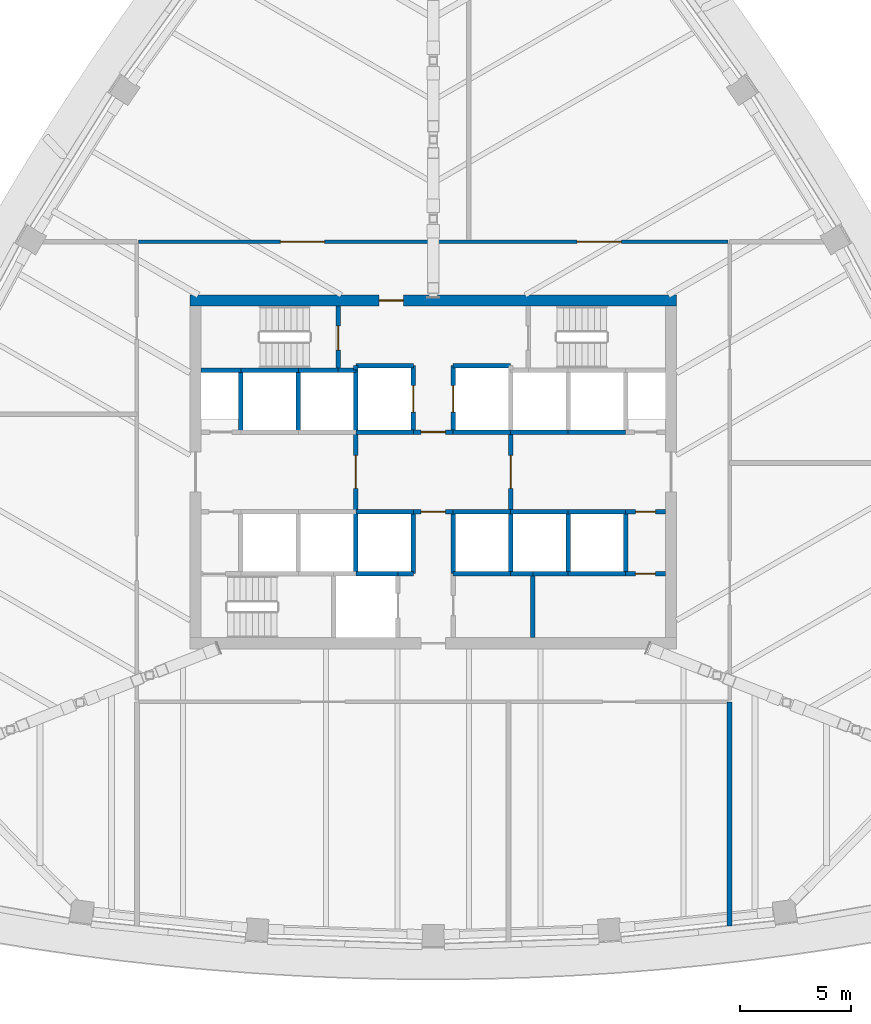
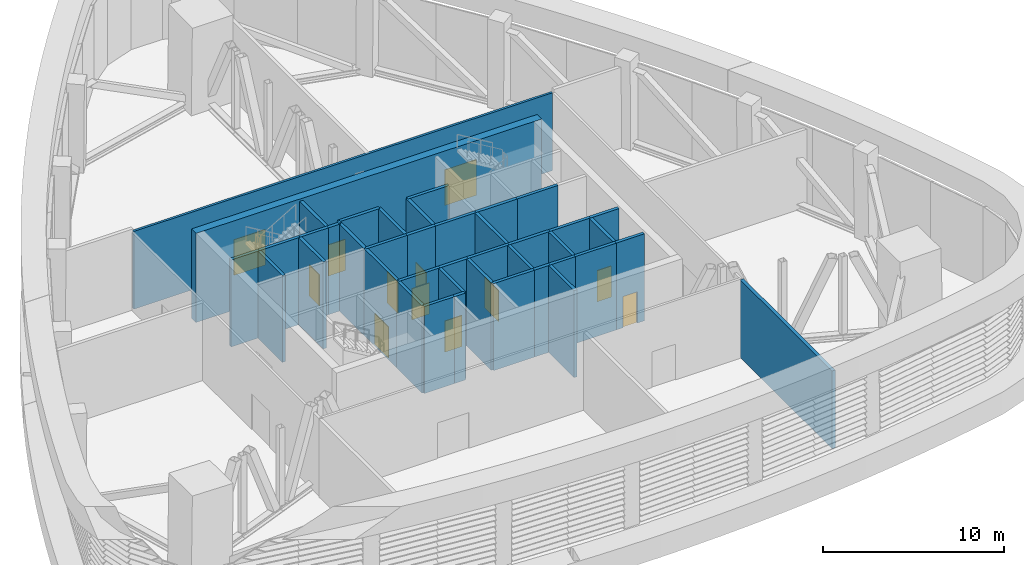
# One storey, part 6 of 18: 43 walls, 12 doors, 12 openings.
"""IFC4 building model written with IfcOpenShell, lengths in metres."""

import ifcopenshell
import ifcopenshell.guid

model = None  # the IFC model being written
_history = None  # IfcOwnerHistory: only IFC2X3 demands one
_inside = {}  # id of a spatial element -> (the spatial element, [elements in it])
_under = {}  # id of a project, library or spatial element -> (it, [spatial elements below it])
_declared = {}  # id of a project -> (the project, [libraries it declares])
_typed = {}  # id of a type object -> (the type object, [elements of that type])
_made_of = {}  # id of a material, layer set ... -> (it, [elements and type objects made of it])


def new_model(schema):
    """Start an empty IFC model of exactly this schema.

    Asked for "IFC4X3", IfcOpenShell would pick the latest addendum, in which some entities
    have other attributes; the version numbers below select the first issue.
    IFC2X3 requires an IfcOwnerHistory on every rooted entity: one is made here for all.
    """
    global model, _history
    if schema == "IFC4X3":
        model = ifcopenshell.file(schema_version=(4, 3, 0, 0))
    else:
        model = ifcopenshell.file(schema=schema)
    _inside.clear()
    _under.clear()
    _declared.clear()
    _typed.clear()
    _made_of.clear()
    _history = None
    if model.schema == "IFC2X3":
        org = make("IfcOrganization", Name="unknown")
        user = make(
            "IfcPersonAndOrganization",
            ThePerson=make("IfcPerson", FamilyName="unknown"),
            TheOrganization=org,
        )
        app = make(
            "IfcApplication",
            ApplicationDeveloper=org,
            Version="unknown",
            ApplicationFullName="unknown",
            ApplicationIdentifier="unknown",
        )
        _history = make(
            "IfcOwnerHistory",
            OwningUser=user,
            OwningApplication=app,
            ChangeAction="ADDED",
            CreationDate=0,
        )
    return model


def make(cls, **values):
    """One entity of the class cls with the attributes given. An attribute that is None is left unset."""
    return model.create_entity(
        cls, **{name: value for name, value in values.items() if value is not None}
    )


def rooted(cls, **values):
    """An entity with a GlobalId (a new one), such as an element, a storey or a relation."""
    return make(cls, GlobalId=ifcopenshell.guid.new(), OwnerHistory=_history, **values)


def si_unit(unit_type, name, prefix=None):
    """IfcSIUnit, for example si_unit("LENGTHUNIT", "METRE", prefix="MILLI")."""
    return make("IfcSIUnit", UnitType=unit_type, Prefix=prefix, Name=name)


def assignment(units):
    """IfcUnitAssignment: the units of a project."""
    return None if units is None else make("IfcUnitAssignment", Units=units)


def point(xyz):
    """IfcCartesianPoint."""
    return None if xyz is None else make("IfcCartesianPoint", Coordinates=xyz)


def direction(xyz):
    """IfcDirection."""
    return None if xyz is None else make("IfcDirection", DirectionRatios=xyz)


def frame(location, z_axis=None, x_axis=None):
    """IfcAxis2Placement3D, a coordinate frame: its origin and axes. An axis left out is left unset."""
    return make(
        "IfcAxis2Placement3D",
        Location=point(location),
        Axis=direction(z_axis),
        RefDirection=direction(x_axis),
    )


def frame_2d(location, x_axis=None):
    """IfcAxis2Placement2D, a coordinate frame in the plane: its origin and x axis."""
    return make(
        "IfcAxis2Placement2D", Location=point(location), RefDirection=direction(x_axis)
    )


def origin():
    """The frame at (0, 0, 0) with its axes left unset."""
    return frame((0.0, 0.0, 0.0))


def place(relative_to, where):
    """IfcLocalPlacement: puts the frame where relative to a parent placement (None: the world)."""
    return make(
        "IfcLocalPlacement", PlacementRelTo=relative_to, RelativePlacement=where
    )


def context(
    kind, dimensions, precision=None, world=None, true_north=None, identifier=None
):
    """IfcGeometricRepresentationContext, for example the 3D "Model" context."""
    return make(
        "IfcGeometricRepresentationContext",
        ContextIdentifier=identifier,
        ContextType=kind,
        CoordinateSpaceDimension=dimensions,
        Precision=precision,
        WorldCoordinateSystem=world,
        TrueNorth=true_north,
    )


def subcontext(parent, identifier, kind, view, scale=None):
    """IfcGeometricRepresentationSubContext, for example "Body" below "Model"."""
    return make(
        "IfcGeometricRepresentationSubContext",
        ContextIdentifier=identifier,
        ContextType=kind,
        ParentContext=parent,
        TargetScale=scale,
        TargetView=view,
    )


def project(units=None, contexts=None):
    """IfcProject with its units and contexts."""
    return rooted(
        "IfcProject",
        Name="project",
        RepresentationContexts=contexts,
        UnitsInContext=assignment(units),
    )


def spatial(cls, under=None, at=None, **own):
    """A site, building, storey or space (cls), placed at a placement, below another one or the project."""
    s = rooted(cls, ObjectPlacement=at, **own)
    if under is not None:
        _under.setdefault(under.id(), (under, []))[1].append(s)
    return s


def profile(cls, at=None, kind="AREA", **sizes):
    """A parametric profile (cls). Its sizes go by their IFC names, for example OverallWidth=200.0."""
    return make(cls, ProfileType=kind, Position=at, **sizes)


def rectangle(**sizes):
    """IfcRectangleProfileDef."""
    return profile("IfcRectangleProfileDef", **sizes)


def extrude(swept, where, along, depth):
    """IfcExtrudedAreaSolid: the profile swept, set in the frame where, extruded along a direction by depth."""
    return make(
        "IfcExtrudedAreaSolid",
        SweptArea=swept,
        Position=where,
        ExtrudedDirection=direction(along),
        Depth=depth,
    )


def shape(context_of_items, identifier, shape_type, items):
    """IfcShapeRepresentation: the items that make up one representation, for example the "Body"."""
    return make(
        "IfcShapeRepresentation",
        ContextOfItems=context_of_items,
        RepresentationIdentifier=identifier,
        RepresentationType=shape_type,
        Items=items,
    )


def material(Name=None, Category=None):
    """IfcMaterial."""
    return make("IfcMaterial", Name=Name, Category=Category)


def layer(
    of_material, thickness, ventilated=None, Name=None, Category=None, Priority=None
):
    """IfcMaterialLayer: one layer of a wall or slab, of a material (None: an air gap)."""
    return make(
        "IfcMaterialLayer",
        Material=of_material,
        LayerThickness=thickness,
        IsVentilated=ventilated,
        Name=Name,
        Category=Category,
        Priority=Priority,
    )


def layer_set(layers, Name=None):
    """IfcMaterialLayerSet."""
    return make("IfcMaterialLayerSet", MaterialLayers=layers, LayerSetName=Name)


def made_of(thing, what):
    """Note that an element or type object is made of a material, layer set ...; save() writes the relation."""
    if what is not None:
        _made_of.setdefault(what.id(), (what, []))[1].append(thing)
    return thing


def type_object(cls, material=None, **own):
    """A type object (cls), such as IfcWallType, which elements share."""
    return made_of(rooted(cls, **own), material)


def element(
    cls,
    number,
    at=None,
    inside=None,
    cuts=None,
    type_object=None,
    material=None,
    context=None,
    identifier="Body",
    shape_type=None,
    held_by="IfcProductDefinitionShape",
    body=None,
    shapes=None,
    **own,
):
    """One element of the class cls, such as IfcWall. Its Tag is "e" and its number.

    at: its placement. inside: the storey or other place that contains it. cuts: it is an
    opening in that element (IfcRelVoidsElement). A single representation is given by context,
    identifier, shape_type and body (its items); several are given by shapes. held_by: the class
    of the entity that holds the representations. save() writes the other relations.
    """
    e = rooted(cls, Tag="e%d" % number, ObjectPlacement=at, **own)
    if body is not None:
        shapes = [shape(context, identifier, shape_type, body)]
    if shapes is not None:
        e.Representation = make(held_by, Representations=shapes)
    if inside is not None:
        _inside.setdefault(inside.id(), (inside, []))[1].append(e)
    if cuts is not None:
        rooted(
            "IfcRelVoidsElement", RelatingBuildingElement=cuts, RelatedOpeningElement=e
        )
    if type_object is not None:
        _typed.setdefault(type_object.id(), (type_object, []))[1].append(e)
    return made_of(e, material)


def fill(opening, filler):
    """IfcRelFillsElement: the door or window that sits in an opening."""
    return rooted(
        "IfcRelFillsElement",
        RelatingOpeningElement=opening,
        RelatedBuildingElement=filler,
    )


def aggregate(whole, parts):
    """IfcRelAggregates: a whole, such as a stair, and the parts it consists of."""
    return rooted("IfcRelAggregates", RelatingObject=whole, RelatedObjects=parts)


def save(model, path):
    """Write the relations noted so far, then the file.

    IfcRelAggregates (storeys below a building ...), IfcRelContainedInSpatialStructure (elements
    in a storey), IfcRelDefinesByType, IfcRelAssociatesMaterial and IfcRelDeclares: one each for
    every whole, place, type object, material and project.
    """
    for whole, parts in _under.values():
        aggregate(whole, parts)
    for where, things in _inside.values():
        rooted(
            "IfcRelContainedInSpatialStructure",
            RelatedElements=things,
            RelatingStructure=where,
        )
    for kind, things in _typed.values():
        rooted("IfcRelDefinesByType", RelatedObjects=things, RelatingType=kind)
    for what, things in _made_of.values():
        rooted("IfcRelAssociatesMaterial", RelatedObjects=things, RelatingMaterial=what)
    for by, libraries in _declared.values():
        rooted("IfcRelDeclares", RelatingContext=by, RelatedDefinitions=libraries)
    model.write(path)


model = new_model("IFC4")

# Units and contexts
model_context = context("Model", 3, precision=1e-05, world=origin(), true_north=direction((0.0, 1.0)))
body_context = subcontext(model_context, "Body", "Model", "MODEL_VIEW")
ifc_project = project(units=[si_unit("LENGTHUNIT", "METRE"), si_unit("AREAUNIT", "SQUARE_METRE"), si_unit("VOLUMEUNIT", "CUBIC_METRE"), si_unit("PLANEANGLEUNIT", "RADIAN"), si_unit("MASSUNIT", "GRAM", prefix="KILO")], contexts=[model_context])

# Site, building, storey
site_placement = place(None, origin())
site = spatial("IfcSite", under=ifc_project, at=site_placement, CompositionType="ELEMENT")
building_placement = place(site_placement, origin())
building = spatial("IfcBuilding", under=site, at=building_placement, Name="Sierra Prisma Convention Tower", CompositionType="ELEMENT")
storey_placement = place(building_placement, frame((0.0, 0.0, 213.800048828125)))
storey = spatial("IfcBuildingStorey", under=building, at=storey_placement, Name="L48", CompositionType="ELEMENT", Elevation=213.800048828125)

# Walls
ifc_material_1 = material(Name="Concrete C30/37", Category="concrete")
ifc_layer_1 = layer(ifc_material_1, 0.199951171875)
ifc_layer_set_1 = layer_set([ifc_layer_1], Name="Core wall RC 200 C30/37")
wall_type_1 = type_object("IfcWallType", Name="Core wall RC 200 C30/37", PredefinedType="SOLIDWALL", material=ifc_layer_set_1)
wall_1_placement = place(storey_placement, frame((-8.699951171875, 4.60009765625, 0.0), z_axis=(0.0, 0.0, 1.0), x_axis=(-1.0, 0.0, 0.0)))
element("IfcWall", 1, at=wall_1_placement, inside=storey, type_object=wall_type_1, Name="Core wall L48 4", PredefinedType="SOLIDWALL", context=body_context, shape_type="SweptSolid", body=[
    extrude(rectangle(XDim=1.800048828125, YDim=0.199951171875, at=frame_2d((0.89990234375, 0.0))), origin(), (0.0, 0.0, 1.0), 5.849853515625),
])
wall_2_placement = place(storey_placement, frame((-8.699951171875, 1.800048828125, 0.0), z_axis=(0.0, 0.0, 1.0), x_axis=(0.0, 1.0, 0.0)))
element("IfcWall", 2, at=wall_2_placement, inside=storey, type_object=wall_type_1, Name="Core wall L48 9", PredefinedType="SOLIDWALL", context=body_context, shape_type="SweptSolid", body=[
    extrude(rectangle(XDim=2.800048828125, YDim=0.199951171875, at=frame_2d((1.39990234375, 0.0))), origin(), (0.0, 0.0, 1.0), 5.849853515625),
])
wall_3_placement = place(storey_placement, frame((-6.10009765625, 4.60009765625, 0.0), z_axis=(0.0, 0.0, 1.0), x_axis=(-1.0, 0.0, 0.0)))
element("IfcWall", 3, at=wall_3_placement, inside=storey, type_object=wall_type_1, Name="Core wall L48 10", PredefinedType="SOLIDWALL", context=body_context, shape_type="SweptSolid", body=[
    extrude(rectangle(XDim=2.599853515625, YDim=0.199951171875, at=frame_2d((1.2998046875, 0.0))), origin(), (0.0, 0.0, 1.0), 5.849853515625),
])
wall_4_placement = place(storey_placement, frame((-6.10009765625, 1.800048828125, 0.0), z_axis=(0.0, 0.0, 1.0), x_axis=(0.0, 1.0, 0.0)))
element("IfcWall", 4, at=wall_4_placement, inside=storey, type_object=wall_type_1, Name="Core wall L48 15", PredefinedType="SOLIDWALL", context=body_context, shape_type="SweptSolid", body=[
    extrude(rectangle(XDim=2.800048828125, YDim=0.199951171875, at=frame_2d((1.39990234375, 0.0))), origin(), (0.0, 0.0, 1.0), 5.849853515625),
])
wall_5_placement = place(storey_placement, frame((-4.300048828125, 4.60009765625, 0.0), z_axis=(0.0, 0.0, 1.0), x_axis=(-1.0, 0.0, 0.0)))
element("IfcWall", 5, at=wall_5_placement, inside=storey, type_object=wall_type_1, Name="Core wall L48 16", PredefinedType="SOLIDWALL", context=body_context, shape_type="SweptSolid", body=[
    extrude(rectangle(XDim=1.800048828125, YDim=0.199951171875, at=frame_2d((0.89990234375, 0.0))), origin(), (0.0, 0.0, 1.0), 5.849853515625),
])
wall_6_placement = place(storey_placement, frame((-3.5, 4.60009765625, 0.0), z_axis=(0.0, 0.0, 1.0), x_axis=(-1.0, 0.0, 0.0)))
element("IfcWall", 6, at=wall_6_placement, inside=storey, type_object=wall_type_1, Name="Core wall L48 19", PredefinedType="SOLIDWALL", context=body_context, shape_type="SweptSolid", body=[
    extrude(rectangle(XDim=0.800048828125, YDim=0.199951171875, at=frame_2d((0.39990234375, 0.0))), origin(), (0.0, 0.0, 1.0), 5.849853515625),
])

# Wall, opening, door
wall_7_placement = place(storey_placement, frame((-4.300048828125, 4.60009765625, 0.0), z_axis=(0.0, 0.0, 1.0), x_axis=(0.0, 1.0, 0.0)))
wall_7 = element("IfcWall", 7, at=wall_7_placement, inside=storey, type_object=wall_type_1, Name="Core wall L48 20", PredefinedType="SOLIDWALL", context=body_context, shape_type="SweptSolid", body=[
    extrude(rectangle(XDim=2.89990234375, YDim=0.199951171875, at=frame_2d((1.449951171875, 0.0))), origin(), (0.0, 0.0, 1.0), 5.849853515625),
])
opening_1_placement = place(wall_7_placement, frame((0.89990234375, 0.0, 0.0)))
opening_1 = element("IfcOpeningElement", 8, at=opening_1_placement, cuts=wall_7, Name="Opening L48-D012", PredefinedType="OPENING", context=body_context, shape_type="SweptSolid", body=[
    extrude(rectangle(XDim=1.10009765625, YDim=2.10009765625, at=frame_2d((0.550048828125, 1.050048828125))), frame((0.0, 0.10009765625, 0.0), z_axis=(0.0, -1.0, 0.0), x_axis=(1.0, 0.0, 0.0)), (0.0, 0.0, 1.0), 0.199951171875),
])
ifc_material_2 = material(Name="Steel fire door leaf", Category="steel")
door_type_1 = type_object("IfcDoorType", Name="Door 1100x2100 FD90S", OperationType="SINGLE_SWING_LEFT", PredefinedType="DOOR", material=ifc_material_2)
door_1_placement = place(opening_1_placement, origin())
door_1 = element("IfcDoor", 9, at=door_1_placement, inside=storey, type_object=door_type_1, Name="Door L48 20", OperationType="SINGLE_SWING_LEFT", OverallHeight=2.10009765625, OverallWidth=1.10009765625, PredefinedType="DOOR", context=body_context, shape_type="SweptSolid", body=[
    extrude(rectangle(XDim=1.10009765625, YDim=2.10009765625, at=frame_2d((0.550048828125, 1.050048828125))), frame((0.0, 0.02490234375, 0.0), z_axis=(0.0, -1.0, 0.0), x_axis=(1.0, 0.0, 0.0)), (0.0, 0.0, 1.0), 0.050048828125),
])
fill(opening_1, door_1)

# Walls
wall_8_placement = place(storey_placement, frame((-3.5, -4.60009765625, 0.0), z_axis=(0.0, 0.0, 1.0), x_axis=(1.0, 0.0, 0.0)))
element("IfcWall", 10, at=wall_8_placement, inside=storey, type_object=wall_type_1, Name="Core wall L48 21", PredefinedType="SOLIDWALL", context=body_context, shape_type="SweptSolid", body=[
    extrude(rectangle(XDim=1.89990234375, YDim=0.199951171875, at=frame_2d((0.949951171875, 0.0))), origin(), (0.0, 0.0, 1.0), 5.849853515625),
])
wall_9_placement = place(storey_placement, frame((-3.5, -4.60009765625, 0.0), z_axis=(0.0, 0.0, 1.0), x_axis=(0.0, 1.0, 0.0)))
element("IfcWall", 11, at=wall_9_placement, inside=storey, type_object=wall_type_1, Name="Core wall L48 22", PredefinedType="SOLIDWALL", context=body_context, shape_type="SweptSolid", body=[
    extrude(rectangle(XDim=2.800048828125, YDim=0.199951171875, at=frame_2d((1.39990234375, 0.0))), origin(), (0.0, 0.0, 1.0), 5.849853515625),
])
wall_10_placement = place(storey_placement, frame((-3.5, -1.800048828125, 0.0), z_axis=(0.0, 0.0, 1.0), x_axis=(1.0, 0.0, 0.0)))
element("IfcWall", 12, at=wall_10_placement, inside=storey, type_object=wall_type_1, Name="Core wall L48 23", PredefinedType="SOLIDWALL", context=body_context, shape_type="SweptSolid", body=[
    extrude(rectangle(XDim=2.60009765625, YDim=0.199951171875, at=frame_2d((1.300048828125, 0.0))), origin(), (0.0, 0.0, 1.0), 5.849853515625),
])

# Wall, opening, door
wall_11_placement = place(storey_placement, frame((-3.5, 1.800048828125, 0.0), z_axis=(0.0, 0.0, 1.0), x_axis=(0.0, -1.0, 0.0)))
wall_11 = element("IfcWall", 13, at=wall_11_placement, inside=storey, type_object=wall_type_1, Name="Core wall L48 24", PredefinedType="SOLIDWALL", context=body_context, shape_type="SweptSolid", body=[
    extrude(rectangle(XDim=3.60009765625, YDim=0.199951171875, at=frame_2d((1.800048828125, 0.0))), origin(), (0.0, 0.0, 1.0), 5.849853515625),
])
opening_2_placement = place(wall_11_placement, frame((1.050048828125, 0.0, 0.0)))
opening_2 = element("IfcOpeningElement", 14, at=opening_2_placement, cuts=wall_11, Name="Opening L48-D004", PredefinedType="OPENING", context=body_context, shape_type="SweptSolid", body=[
    extrude(rectangle(XDim=1.5, YDim=2.10009765625, at=frame_2d((0.75, 1.050048828125))), frame((0.0, 0.10009765625, 0.0), z_axis=(0.0, -1.0, 0.0), x_axis=(1.0, 0.0, 0.0)), (0.0, 0.0, 1.0), 0.199951171875),
])
ifc_material_3 = material(Name="Steel fire door leaf", Category="steel")
door_type_2 = type_object("IfcDoorType", Name="Door 1500x2100 FD30S", OperationType="DOUBLE_DOOR_SINGLE_SWING", PredefinedType="DOOR", material=ifc_material_3)
door_2_placement = place(opening_2_placement, origin())
door_2 = element("IfcDoor", 15, at=door_2_placement, inside=storey, type_object=door_type_2, Name="Door L48 12", OperationType="DOUBLE_DOOR_SINGLE_SWING", OverallHeight=2.10009765625, OverallWidth=1.5, PredefinedType="DOOR", context=body_context, shape_type="SweptSolid", body=[
    extrude(rectangle(XDim=1.5, YDim=2.10009765625, at=frame_2d((0.75, 1.050048828125))), frame((0.0, 0.02490234375, 0.0), z_axis=(0.0, -1.0, 0.0), x_axis=(1.0, 0.0, 0.0)), (0.0, 0.0, 1.0), 0.050048828125),
])
fill(opening_2, door_2)

# Walls
wall_12_placement = place(storey_placement, frame((-0.89990234375, 1.800048828125, 0.0), z_axis=(0.0, 0.0, 1.0), x_axis=(-1.0, 0.0, 0.0)))
element("IfcWall", 16, at=wall_12_placement, inside=storey, type_object=wall_type_1, Name="Core wall L48 25", PredefinedType="SOLIDWALL", context=body_context, shape_type="SweptSolid", body=[
    extrude(rectangle(XDim=2.60009765625, YDim=0.199951171875, at=frame_2d((1.300048828125, 0.0))), origin(), (0.0, 0.0, 1.0), 5.849853515625),
])
wall_13_placement = place(storey_placement, frame((-3.5, 4.60009765625, 0.0), z_axis=(0.0, 0.0, 1.0), x_axis=(0.0, -1.0, 0.0)))
element("IfcWall", 17, at=wall_13_placement, inside=storey, type_object=wall_type_1, Name="Core wall L48 26", PredefinedType="SOLIDWALL", context=body_context, shape_type="SweptSolid", body=[
    extrude(rectangle(XDim=2.800048828125, YDim=0.199951171875, at=frame_2d((1.39990234375, 0.0))), origin(), (0.0, 0.0, 1.0), 5.849853515625),
])

# Wall, opening, door
wall_14_placement = place(storey_placement, frame((-0.89990234375, 1.800048828125, 0.0), z_axis=(0.0, 0.0, 1.0), x_axis=(0.0, 1.0, 0.0)))
wall_14 = element("IfcWall", 18, at=wall_14_placement, inside=storey, type_object=wall_type_1, Name="Core wall L48 27", PredefinedType="SOLIDWALL", context=body_context, shape_type="SweptSolid", body=[
    extrude(rectangle(XDim=3.0, YDim=0.199951171875, at=frame_2d((1.5, 0.0))), origin(), (0.0, 0.0, 1.0), 5.849853515625),
])
opening_3_placement = place(wall_14_placement, frame((0.89990234375, 0.0, 0.0)))
opening_3 = element("IfcOpeningElement", 19, at=opening_3_placement, cuts=wall_14, Name="Opening L48-D001", PredefinedType="OPENING", context=body_context, shape_type="SweptSolid", body=[
    extrude(rectangle(XDim=1.199951171875, YDim=2.10009765625, at=frame_2d((0.60009765625, 1.050048828125))), frame((0.0, 0.10009765625, 0.0), z_axis=(0.0, -1.0, 0.0), x_axis=(1.0, 0.0, 0.0)), (0.0, 0.0, 1.0), 0.199951171875),
])
ifc_material_4 = material(Name="Steel fire door leaf", Category="steel")
door_type_3 = type_object("IfcDoorType", Name="Door 1200x2100 EI 90 sliding lift landing", OperationType="SLIDING_TO_LEFT", PredefinedType="DOOR", material=ifc_material_4)
door_3_placement = place(opening_3_placement, origin())
door_3 = element("IfcDoor", 20, at=door_3_placement, inside=storey, type_object=door_type_3, Name="Door L48 9", OperationType="SLIDING_TO_RIGHT", OverallHeight=2.10009765625, OverallWidth=1.199951171875, PredefinedType="DOOR", context=body_context, shape_type="SweptSolid", body=[
    extrude(rectangle(XDim=1.199951171875, YDim=2.10009765625, at=frame_2d((0.60009765625, 1.050048828125))), frame((0.0, 0.02490234375, 0.0), z_axis=(0.0, -1.0, 0.0), x_axis=(1.0, 0.0, 0.0)), (0.0, 0.0, 1.0), 0.050048828125),
])
fill(opening_3, door_3)

# Walls
wall_15_placement = place(storey_placement, frame((-0.89990234375, 4.800048828125, 0.0), z_axis=(0.0, 0.0, 1.0), x_axis=(-1.0, 0.0, 0.0)))
element("IfcWall", 21, at=wall_15_placement, inside=storey, type_object=wall_type_1, Name="Core wall L48 28", PredefinedType="SOLIDWALL", context=body_context, shape_type="SweptSolid", body=[
    extrude(rectangle(XDim=2.60009765625, YDim=0.199951171875, at=frame_2d((1.300048828125, 0.0))), origin(), (0.0, 0.0, 1.0), 5.849853515625),
])
wall_16_placement = place(storey_placement, frame((-3.5, 4.800048828125, 0.0), z_axis=(0.0, 0.0, 1.0), x_axis=(0.0, -1.0, 0.0)))
element("IfcWall", 22, at=wall_16_placement, inside=storey, type_object=wall_type_1, Name="Core wall L48 29", PredefinedType="SOLIDWALL", context=body_context, shape_type="SweptSolid", body=[
    extrude(rectangle(XDim=0.199951171875, YDim=0.199951171875, at=frame_2d((0.10009765625, 0.0))), origin(), (0.0, 0.0, 1.0), 5.849853515625),
])
wall_17_placement = place(storey_placement, frame((-1.60009765625, -4.60009765625, 0.0), z_axis=(0.0, 0.0, 1.0), x_axis=(1.0, 0.0, 0.0)))
element("IfcWall", 23, at=wall_17_placement, inside=storey, type_object=wall_type_1, Name="Core wall L48 31", PredefinedType="SOLIDWALL", context=body_context, shape_type="SweptSolid", body=[
    extrude(rectangle(XDim=0.7001953125, YDim=0.199951171875, at=frame_2d((0.35009765625, 0.0))), origin(), (0.0, 0.0, 1.0), 5.849853515625),
])
wall_18_placement = place(storey_placement, frame((-0.89990234375, -4.60009765625, 0.0), z_axis=(0.0, 0.0, 1.0), x_axis=(0.0, 1.0, 0.0)))
element("IfcWall", 24, at=wall_18_placement, inside=storey, type_object=wall_type_1, Name="Core wall L48 32", PredefinedType="SOLIDWALL", context=body_context, shape_type="SweptSolid", body=[
    extrude(rectangle(XDim=2.800048828125, YDim=0.199951171875, at=frame_2d((1.39990234375, 0.0))), origin(), (0.0, 0.0, 1.0), 5.849853515625),
])

# Wall, opening, door
wall_19_placement = place(storey_placement, frame((-0.89990234375, -1.800048828125, 0.0), z_axis=(0.0, 0.0, 1.0), x_axis=(1.0, 0.0, 0.0)))
wall_19 = element("IfcWall", 25, at=wall_19_placement, inside=storey, type_object=wall_type_1, Name="Core wall L48 33", PredefinedType="SOLIDWALL", context=body_context, shape_type="SweptSolid", body=[
    extrude(rectangle(XDim=1.7998046875, YDim=0.199951171875, at=frame_2d((0.89990234375, 0.0))), origin(), (0.0, 0.0, 1.0), 5.849853515625),
])
opening_4_placement = place(wall_19_placement, frame((0.35009765625, 0.0, 0.0)))
opening_4 = element("IfcOpeningElement", 26, at=opening_4_placement, cuts=wall_19, Name="Opening L48-D008", PredefinedType="OPENING", context=body_context, shape_type="SweptSolid", body=[
    extrude(rectangle(XDim=1.10009765625, YDim=2.10009765625, at=frame_2d((0.550048828125, 1.050048828125))), frame((0.0, 0.10009765625, 0.0), z_axis=(0.0, -1.0, 0.0), x_axis=(1.0, 0.0, 0.0)), (0.0, 0.0, 1.0), 0.199951171875),
])
ifc_material_5 = material(Name="Steel fire door leaf", Category="steel")
door_type_4 = type_object("IfcDoorType", Name="Door 1100x2100 FD30S", OperationType="SINGLE_SWING_LEFT", PredefinedType="DOOR", material=ifc_material_5)
door_4_placement = place(opening_4_placement, origin())
door_4 = element("IfcDoor", 27, at=door_4_placement, inside=storey, type_object=door_type_4, Name="Door L48 16", OperationType="SINGLE_SWING_RIGHT", OverallHeight=2.10009765625, OverallWidth=1.10009765625, PredefinedType="DOOR", context=body_context, shape_type="SweptSolid", body=[
    extrude(rectangle(XDim=1.10009765625, YDim=2.10009765625, at=frame_2d((0.550048828125, 1.050048828125))), frame((0.0, 0.02490234375, 0.0), z_axis=(0.0, -1.0, 0.0), x_axis=(1.0, 0.0, 0.0)), (0.0, 0.0, 1.0), 0.050048828125),
])
fill(opening_4, door_4)

wall_20_placement = place(storey_placement, frame((0.89990234375, 1.800048828125, 0.0), z_axis=(0.0, 0.0, 1.0), x_axis=(-1.0, 0.0, 0.0)))
wall_20 = element("IfcWall", 28, at=wall_20_placement, inside=storey, type_object=wall_type_1, Name="Core wall L48 34", PredefinedType="SOLIDWALL", context=body_context, shape_type="SweptSolid", body=[
    extrude(rectangle(XDim=1.7998046875, YDim=0.199951171875, at=frame_2d((0.89990234375, 0.0))), origin(), (0.0, 0.0, 1.0), 5.849853515625),
])
opening_5_placement = place(wall_20_placement, frame((0.35009765625, 0.0, 0.0)))
opening_5 = element("IfcOpeningElement", 29, at=opening_5_placement, cuts=wall_20, Name="Opening L48-D007", PredefinedType="OPENING", context=body_context, shape_type="SweptSolid", body=[
    extrude(rectangle(XDim=1.10009765625, YDim=2.10009765625, at=frame_2d((0.550048828125, 1.050048828125))), frame((0.0, 0.10009765625, 0.0), z_axis=(0.0, -1.0, 0.0), x_axis=(1.0, 0.0, 0.0)), (0.0, 0.0, 1.0), 0.199951171875),
])
ifc_material_6 = material(Name="Steel fire door leaf", Category="steel")
door_type_5 = type_object("IfcDoorType", Name="Door 1100x2100 FD60S", OperationType="SINGLE_SWING_LEFT", PredefinedType="DOOR", material=ifc_material_6)
door_5_placement = place(opening_5_placement, origin())
door_5 = element("IfcDoor", 30, at=door_5_placement, inside=storey, type_object=door_type_5, Name="Door L48 15", OperationType="SINGLE_SWING_LEFT", OverallHeight=2.10009765625, OverallWidth=1.10009765625, PredefinedType="DOOR", context=body_context, shape_type="SweptSolid", body=[
    extrude(rectangle(XDim=1.10009765625, YDim=2.10009765625, at=frame_2d((0.550048828125, 1.050048828125))), frame((0.0, 0.02490234375, 0.0), z_axis=(0.0, -1.0, 0.0), x_axis=(1.0, 0.0, 0.0)), (0.0, 0.0, 1.0), 0.050048828125),
])
fill(opening_5, door_5)

# Walls
wall_21_placement = place(storey_placement, frame((3.5, -4.60009765625, 0.0), z_axis=(0.0, 0.0, 1.0), x_axis=(-1.0, 0.0, 0.0)))
element("IfcWall", 31, at=wall_21_placement, inside=storey, type_object=wall_type_1, Name="Core wall L48 36", PredefinedType="SOLIDWALL", context=body_context, shape_type="SweptSolid", body=[
    extrude(rectangle(XDim=2.60009765625, YDim=0.199951171875, at=frame_2d((1.300048828125, 0.0))), origin(), (0.0, 0.0, 1.0), 5.849853515625),
])
wall_22_placement = place(storey_placement, frame((0.89990234375, -1.800048828125, 0.0), z_axis=(0.0, 0.0, 1.0), x_axis=(0.0, -1.0, 0.0)))
element("IfcWall", 32, at=wall_22_placement, inside=storey, type_object=wall_type_1, Name="Core wall L48 37", PredefinedType="SOLIDWALL", context=body_context, shape_type="SweptSolid", body=[
    extrude(rectangle(XDim=2.800048828125, YDim=0.199951171875, at=frame_2d((1.39990234375, 0.0))), origin(), (0.0, 0.0, 1.0), 5.849853515625),
])
for number, where, z_axis, x_axis, name in (
    (33, (0.89990234375, -1.800048828125, 0.0), (0.0, 0.0, 1.0), (1.0, 0.0, 0.0), "Core wall L48 38"),
    (34, (3.5, 1.800048828125, 0.0), (0.0, 0.0, 1.0), (-1.0, 0.0, 0.0), "Core wall L48 39"),
    (35, (3.5, 4.800048828125, 0.0), (0.0, 0.0, 1.0), (-1.0, 0.0, 0.0), "Core wall L48 41"),
):
    element("IfcWall", number, at=place(storey_placement, frame(where, z_axis=z_axis, x_axis=x_axis)), inside=storey, type_object=wall_type_1, Name=name, PredefinedType="SOLIDWALL", context=body_context, shape_type="SweptSolid", body=[
        extrude(rectangle(XDim=2.60009765625, YDim=0.199951171875, at=frame_2d((1.300048828125, 0.0))), origin(), (0.0, 0.0, 1.0), 5.849853515625),
    ])

# Wall, opening, door
wall_23_placement = place(storey_placement, frame((0.89990234375, 4.800048828125, 0.0), z_axis=(0.0, 0.0, 1.0), x_axis=(0.0, -1.0, 0.0)))
wall_23 = element("IfcWall", 36, at=wall_23_placement, inside=storey, type_object=wall_type_1, Name="Core wall L48 42", PredefinedType="SOLIDWALL", context=body_context, shape_type="SweptSolid", body=[
    extrude(rectangle(XDim=3.0, YDim=0.199951171875, at=frame_2d((1.5, 0.0))), origin(), (0.0, 0.0, 1.0), 5.849853515625),
])
opening_6_placement = place(wall_23_placement, frame((0.89990234375, 0.0, 0.0)))
opening_6 = element("IfcOpeningElement", 37, at=opening_6_placement, cuts=wall_23, Name="Opening L48-D002", PredefinedType="OPENING", context=body_context, shape_type="SweptSolid", body=[
    extrude(rectangle(XDim=1.199951171875, YDim=2.10009765625, at=frame_2d((0.60009765625, 1.050048828125))), frame((0.0, 0.10009765625, 0.0), z_axis=(0.0, -1.0, 0.0), x_axis=(1.0, 0.0, 0.0)), (0.0, 0.0, 1.0), 0.199951171875),
])
door_6_placement = place(opening_6_placement, origin())
door_6 = element("IfcDoor", 38, at=door_6_placement, inside=storey, type_object=door_type_3, Name="Door L48 10", OperationType="SLIDING_TO_RIGHT", OverallHeight=2.10009765625, OverallWidth=1.199951171875, PredefinedType="DOOR", context=body_context, shape_type="SweptSolid", body=[
    extrude(rectangle(XDim=1.199951171875, YDim=2.10009765625, at=frame_2d((0.60009765625, 1.050048828125))), frame((0.0, 0.02490234375, 0.0), z_axis=(0.0, -1.0, 0.0), x_axis=(1.0, 0.0, 0.0)), (0.0, 0.0, 1.0), 0.050048828125),
])
fill(opening_6, door_6)

# Walls
wall_24_placement = place(storey_placement, frame((4.5, -4.60009765625, 0.0), z_axis=(0.0, 0.0, 1.0), x_axis=(-1.0, 0.0, 0.0)))
element("IfcWall", 39, at=wall_24_placement, inside=storey, type_object=wall_type_1, Name="Core wall L48 43", PredefinedType="SOLIDWALL", context=body_context, shape_type="SweptSolid", body=[
    extrude(rectangle(XDim=1.0, YDim=0.199951171875, at=frame_2d((0.5, 0.0))), origin(), (0.0, 0.0, 1.0), 5.849853515625),
])
wall_25_placement = place(storey_placement, frame((3.5, -4.60009765625, 0.0), z_axis=(0.0, 0.0, 1.0), x_axis=(0.0, 1.0, 0.0)))
element("IfcWall", 40, at=wall_25_placement, inside=storey, type_object=wall_type_1, Name="Core wall L48 44", PredefinedType="SOLIDWALL", context=body_context, shape_type="SweptSolid", body=[
    extrude(rectangle(XDim=2.800048828125, YDim=0.199951171875, at=frame_2d((1.39990234375, 0.0))), origin(), (0.0, 0.0, 1.0), 5.849853515625),
])
wall_26_placement = place(storey_placement, frame((3.5, -1.800048828125, 0.0), z_axis=(0.0, 0.0, 1.0), x_axis=(1.0, 0.0, 0.0)))
element("IfcWall", 41, at=wall_26_placement, inside=storey, type_object=wall_type_1, Name="Core wall L48 45", PredefinedType="SOLIDWALL", context=body_context, shape_type="SweptSolid", body=[
    extrude(rectangle(XDim=2.60009765625, YDim=0.199951171875, at=frame_2d((1.300048828125, 0.0))), origin(), (0.0, 0.0, 1.0), 5.849853515625),
])

# Wall, opening, door
wall_27_placement = place(storey_placement, frame((3.5, -1.800048828125, 0.0), z_axis=(0.0, 0.0, 1.0), x_axis=(0.0, 1.0, 0.0)))
wall_27 = element("IfcWall", 42, at=wall_27_placement, inside=storey, type_object=wall_type_1, Name="Core wall L48 46", PredefinedType="SOLIDWALL", context=body_context, shape_type="SweptSolid", body=[
    extrude(rectangle(XDim=3.60009765625, YDim=0.199951171875, at=frame_2d((1.800048828125, 0.0))), origin(), (0.0, 0.0, 1.0), 5.849853515625),
])
opening_7_placement = place(wall_27_placement, frame((1.050048828125, 0.0, 0.0)))
opening_7 = element("IfcOpeningElement", 43, at=opening_7_placement, cuts=wall_27, Name="Opening L48-D005", PredefinedType="OPENING", context=body_context, shape_type="SweptSolid", body=[
    extrude(rectangle(XDim=1.5, YDim=2.10009765625, at=frame_2d((0.75, 1.050048828125))), frame((0.0, 0.10009765625, 0.0), z_axis=(0.0, -1.0, 0.0), x_axis=(1.0, 0.0, 0.0)), (0.0, 0.0, 1.0), 0.199951171875),
])
door_7_placement = place(opening_7_placement, origin())
door_7 = element("IfcDoor", 44, at=door_7_placement, inside=storey, type_object=door_type_2, Name="Door L48 13", OperationType="DOUBLE_DOOR_SINGLE_SWING", OverallHeight=2.10009765625, OverallWidth=1.5, PredefinedType="DOOR", context=body_context, shape_type="SweptSolid", body=[
    extrude(rectangle(XDim=1.5, YDim=2.10009765625, at=frame_2d((0.75, 1.050048828125))), frame((0.0, 0.02490234375, 0.0), z_axis=(0.0, -1.0, 0.0), x_axis=(1.0, 0.0, 0.0)), (0.0, 0.0, 1.0), 0.050048828125),
])
fill(opening_7, door_7)

# Walls
wall_28_placement = place(storey_placement, frame((6.10009765625, 1.800048828125, 0.0), z_axis=(0.0, 0.0, 1.0), x_axis=(-1.0, 0.0, 0.0)))
element("IfcWall", 45, at=wall_28_placement, inside=storey, type_object=wall_type_1, Name="Core wall L48 47", PredefinedType="SOLIDWALL", context=body_context, shape_type="SweptSolid", body=[
    extrude(rectangle(XDim=2.60009765625, YDim=0.199951171875, at=frame_2d((1.300048828125, 0.0))), origin(), (0.0, 0.0, 1.0), 5.849853515625),
])
wall_29_placement = place(storey_placement, frame((4.5, -4.60009765625, 0.0), z_axis=(0.0, 0.0, 1.0), x_axis=(0.0, -1.0, 0.0)))
element("IfcWall", 46, at=wall_29_placement, inside=storey, type_object=wall_type_1, Name="Core wall L48 52", PredefinedType="SOLIDWALL", context=body_context, shape_type="SweptSolid", body=[
    extrude(rectangle(XDim=2.89990234375, YDim=0.199951171875, at=frame_2d((1.449951171875, 0.0))), origin(), (0.0, 0.0, 1.0), 5.849853515625),
])
wall_30_placement = place(storey_placement, frame((6.10009765625, -4.60009765625, 0.0), z_axis=(0.0, 0.0, 1.0), x_axis=(-1.0, 0.0, 0.0)))
element("IfcWall", 47, at=wall_30_placement, inside=storey, type_object=wall_type_1, Name="Core wall L48 53", PredefinedType="SOLIDWALL", context=body_context, shape_type="SweptSolid", body=[
    extrude(rectangle(XDim=1.60009765625, YDim=0.199951171875, at=frame_2d((0.800048828125, 0.0))), origin(), (0.0, 0.0, 1.0), 5.849853515625),
])
wall_31_placement = place(storey_placement, frame((8.699951171875, -4.60009765625, 0.0), z_axis=(0.0, 0.0, 1.0), x_axis=(-1.0, 0.0, 0.0)))
element("IfcWall", 48, at=wall_31_placement, inside=storey, type_object=wall_type_1, Name="Core wall L48 54", PredefinedType="SOLIDWALL", context=body_context, shape_type="SweptSolid", body=[
    extrude(rectangle(XDim=2.599853515625, YDim=0.199951171875, at=frame_2d((1.2998046875, 0.0))), origin(), (0.0, 0.0, 1.0), 5.849853515625),
])
wall_32_placement = place(storey_placement, frame((6.10009765625, -4.60009765625, 0.0), z_axis=(0.0, 0.0, 1.0), x_axis=(0.0, 1.0, 0.0)))
element("IfcWall", 49, at=wall_32_placement, inside=storey, type_object=wall_type_1, Name="Core wall L48 55", PredefinedType="SOLIDWALL", context=body_context, shape_type="SweptSolid", body=[
    extrude(rectangle(XDim=2.800048828125, YDim=0.199951171875, at=frame_2d((1.39990234375, 0.0))), origin(), (0.0, 0.0, 1.0), 5.849853515625),
])
for number, where, z_axis, x_axis, name in (
    (50, (6.10009765625, -1.800048828125, 0.0), (0.0, 0.0, 1.0), (1.0, 0.0, 0.0), "Core wall L48 56"),
    (51, (8.699951171875, 1.800048828125, 0.0), (0.0, 0.0, 1.0), (-1.0, 0.0, 0.0), "Core wall L48 57"),
):
    element("IfcWall", number, at=place(storey_placement, frame(where, z_axis=z_axis, x_axis=x_axis)), inside=storey, type_object=wall_type_1, Name=name, PredefinedType="SOLIDWALL", context=body_context, shape_type="SweptSolid", body=[
        extrude(rectangle(XDim=2.599853515625, YDim=0.199951171875, at=frame_2d((1.2998046875, 0.0))), origin(), (0.0, 0.0, 1.0), 5.849853515625),
    ])

# Wall, opening, door
wall_33_placement = place(storey_placement, frame((10.5, -4.60009765625, 0.0), z_axis=(0.0, 0.0, 1.0), x_axis=(-1.0, 0.0, 0.0)))
wall_33 = element("IfcWall", 52, at=wall_33_placement, inside=storey, type_object=wall_type_1, Name="Core wall L48 60", PredefinedType="SOLIDWALL", context=body_context, shape_type="SweptSolid", body=[
    extrude(rectangle(XDim=1.800048828125, YDim=0.199951171875, at=frame_2d((0.89990234375, 0.0))), origin(), (0.0, 0.0, 1.0), 5.849853515625),
])
opening_8_placement = place(wall_33_placement, frame((0.4599609375, 0.0, 0.0)))
opening_8 = element("IfcOpeningElement", 53, at=opening_8_placement, cuts=wall_33, Name="Opening L48-D014", PredefinedType="OPENING", context=body_context, shape_type="SweptSolid", body=[
    extrude(rectangle(XDim=0.89990234375, YDim=2.10009765625, at=frame_2d((0.449951171875, 1.050048828125))), frame((0.0, 0.10009765625, 0.0), z_axis=(0.0, -1.0, 0.0), x_axis=(1.0, 0.0, 0.0)), (0.0, 0.0, 1.0), 0.199951171875),
])
ifc_material_7 = material(Name="Steel fire door leaf", Category="steel")
door_type_6 = type_object("IfcDoorType", Name="Door 900x2100 FD30S", OperationType="SINGLE_SWING_LEFT", PredefinedType="DOOR", material=ifc_material_7)
door_8_placement = place(opening_8_placement, origin())
door_8 = element("IfcDoor", 54, at=door_8_placement, inside=storey, type_object=door_type_6, Name="Door L48 22", OperationType="SINGLE_SWING_RIGHT", OverallHeight=2.10009765625, OverallWidth=0.89990234375, PredefinedType="DOOR", context=body_context, shape_type="SweptSolid", body=[
    extrude(rectangle(XDim=0.89990234375, YDim=2.10009765625, at=frame_2d((0.449951171875, 1.050048828125))), frame((0.0, 0.02490234375, 0.0), z_axis=(0.0, -1.0, 0.0), x_axis=(1.0, 0.0, 0.0)), (0.0, 0.0, 1.0), 0.050048828125),
])
fill(opening_8, door_8)

# Wall
wall_34_placement = place(storey_placement, frame((8.699951171875, -1.800048828125, 0.0), z_axis=(0.0, 0.0, 1.0), x_axis=(0.0, -1.0, 0.0)))
element("IfcWall", 55, at=wall_34_placement, inside=storey, type_object=wall_type_1, Name="Core wall L48 61", PredefinedType="SOLIDWALL", context=body_context, shape_type="SweptSolid", body=[
    extrude(rectangle(XDim=2.800048828125, YDim=0.199951171875, at=frame_2d((1.39990234375, 0.0))), origin(), (0.0, 0.0, 1.0), 5.849853515625),
])

# Wall, opening, door
wall_35_placement = place(storey_placement, frame((8.699951171875, -1.800048828125, 0.0), z_axis=(0.0, 0.0, 1.0), x_axis=(1.0, 0.0, 0.0)))
wall_35 = element("IfcWall", 56, at=wall_35_placement, inside=storey, type_object=wall_type_1, Name="Core wall L48 62", PredefinedType="SOLIDWALL", context=body_context, shape_type="SweptSolid", body=[
    extrude(rectangle(XDim=1.800048828125, YDim=0.199951171875, at=frame_2d((0.89990234375, 0.0))), origin(), (0.0, 0.0, 1.0), 5.849853515625),
])
opening_9_placement = place(wall_35_placement, frame((0.449951171875, 0.0, 0.0)))
opening_9 = element("IfcOpeningElement", 57, at=opening_9_placement, cuts=wall_35, Name="Opening L48-D015", PredefinedType="OPENING", context=body_context, shape_type="SweptSolid", body=[
    extrude(rectangle(XDim=0.89990234375, YDim=2.10009765625, at=frame_2d((0.449951171875, 1.050048828125))), frame((0.0, 0.10009765625, 0.0), z_axis=(0.0, -1.0, 0.0), x_axis=(1.0, 0.0, 0.0)), (0.0, 0.0, 1.0), 0.199951171875),
])
door_9_placement = place(opening_9_placement, origin())
door_9 = element("IfcDoor", 58, at=door_9_placement, inside=storey, type_object=door_type_6, Name="Door L48 23", OperationType="SINGLE_SWING_RIGHT", OverallHeight=2.10009765625, OverallWidth=0.89990234375, PredefinedType="DOOR", context=body_context, shape_type="SweptSolid", body=[
    extrude(rectangle(XDim=0.89990234375, YDim=2.10009765625, at=frame_2d((0.449951171875, 1.050048828125))), frame((0.0, 0.02490234375, 0.0), z_axis=(0.0, -1.0, 0.0), x_axis=(1.0, 0.0, 0.0)), (0.0, 0.0, 1.0), 0.050048828125),
])
fill(opening_9, door_9)

ifc_material_8 = material(Name="Concrete C60/75", Category="concrete")
ifc_layer_2 = layer(ifc_material_8, 0.5)
ifc_layer_set_2 = layer_set([ifc_layer_2], Name="Core wall RC 500 C60/75")
wall_type_2 = type_object("IfcWallType", Name="Core wall RC 500 C60/75", PredefinedType="SHEAR", material=ifc_layer_set_2)
wall_36_placement = place(storey_placement, frame((-11.0, 7.75, 0.0), z_axis=(0.0, 0.0, 1.0), x_axis=(1.0, 0.0, 0.0)))
wall_36 = element("IfcWall", 59, at=wall_36_placement, inside=storey, type_object=wall_type_2, Name="Core wall N L48", PredefinedType="SHEAR", context=body_context, shape_type="SweptSolid", body=[
    extrude(rectangle(XDim=22.0, YDim=0.5, at=frame_2d((11.0, 0.0))), origin(), (0.0, 0.0, 1.0), 6.0),
])
opening_10_placement = place(wall_36_placement, frame((8.550048828125, 0.0, 0.0)))
opening_10 = element("IfcOpeningElement", 60, at=opening_10_placement, cuts=wall_36, Name="Opening L48-D026", PredefinedType="OPENING", context=body_context, shape_type="SweptSolid", body=[
    extrude(rectangle(XDim=1.10009765625, YDim=2.10009765625, at=frame_2d((0.550048828125, 1.050048828125))), frame((0.0, 0.25, 0.0), z_axis=(0.0, -1.0, 0.0), x_axis=(1.0, 0.0, 0.0)), (0.0, 0.0, 1.0), 0.5),
])
door_10_placement = place(opening_10_placement, origin())
door_10 = element("IfcDoor", 61, at=door_10_placement, inside=storey, type_object=door_type_5, Name="Door L48 27", OperationType="SINGLE_SWING_RIGHT", OverallHeight=2.10009765625, OverallWidth=1.10009765625, PredefinedType="DOOR", context=body_context, shape_type="SweptSolid", body=[
    extrude(rectangle(XDim=1.10009765625, YDim=2.10009765625, at=frame_2d((0.550048828125, 1.050048828125))), frame((0.0, 0.02490234375, 0.0), z_axis=(0.0, -1.0, 0.0), x_axis=(1.0, 0.0, 0.0)), (0.0, 0.0, 1.0), 0.050048828125),
])
fill(opening_10, door_10)

# Wall, openings, doors
ifc_material_9 = material(Name="Gypsum board partition", Category="gypsum")
ifc_layer_3 = layer(ifc_material_9, 0.14990234375)
ifc_layer_set_3 = layer_set([ifc_layer_3], Name="Corridor wall 150 gypsum EI 60")
wall_type_3 = type_object("IfcWallType", Name="Corridor wall 150 gypsum EI 60", PredefinedType="PARTITIONING", material=ifc_layer_set_3)
wall_37_placement = place(storey_placement, frame((13.320068359375, 10.39990234375, 0.0), z_axis=(0.0, 0.0, 1.0), x_axis=(-1.0, 0.0, 0.0)))
wall_37 = element("IfcWall", 62, at=wall_37_placement, inside=storey, type_object=wall_type_3, Name="Partition L48 corr 3", PredefinedType="PARTITIONING", context=body_context, shape_type="SweptSolid", body=[
    extrude(rectangle(XDim=26.64013671875, YDim=0.14990234375, at=frame_2d((13.320068359375, 0.0))), origin(), (0.0, 0.0, 1.0), 5.23291015625),
])
opening_11_placement = place(wall_37_placement, frame((4.81005859375, 0.0, 0.0)))
opening_11 = element("IfcOpeningElement", 63, at=opening_11_placement, cuts=wall_37, Name="Opening L48-D018", PredefinedType="OPENING", context=body_context, shape_type="SweptSolid", body=[
    extrude(rectangle(XDim=2.0, YDim=2.39990234375, at=frame_2d((1.0, 1.199951171875))), frame((0.0, 0.074951171875, 0.0), z_axis=(0.0, -1.0, 0.0), x_axis=(1.0, 0.0, 0.0)), (0.0, 0.0, 1.0), 0.14990234375),
])
opening_12_placement = place(wall_37_placement, frame((18.22998046875, 0.0, 0.0)))
opening_12 = element("IfcOpeningElement", 64, at=opening_12_placement, cuts=wall_37, Name="Opening L48-D019", PredefinedType="OPENING", context=body_context, shape_type="SweptSolid", body=[
    extrude(rectangle(XDim=2.0, YDim=2.39990234375, at=frame_2d((1.0, 1.199951171875))), frame((0.0, 0.074951171875, 0.0), z_axis=(0.0, -1.0, 0.0), x_axis=(1.0, 0.0, 0.0)), (0.0, 0.0, 1.0), 0.14990234375),
])
ifc_material_10 = material(Name="Steel fire door leaf", Category="steel")
door_type_7 = type_object("IfcDoorType", Name="Door 2000x2400 FD60S", OperationType="DOUBLE_DOOR_SINGLE_SWING", PredefinedType="DOOR", material=ifc_material_10)
door_11_placement = place(opening_11_placement, origin())
door_11 = element("IfcDoor", 65, at=door_11_placement, inside=storey, type_object=door_type_7, Name="Door L48 2", OperationType="DOUBLE_DOOR_SINGLE_SWING", OverallHeight=2.39990234375, OverallWidth=2.0, PredefinedType="DOOR", context=body_context, shape_type="SweptSolid", body=[
    extrude(rectangle(XDim=2.0, YDim=2.39990234375, at=frame_2d((1.0, 1.199951171875))), frame((0.0, 0.02490234375, 0.0), z_axis=(0.0, -1.0, 0.0), x_axis=(1.0, 0.0, 0.0)), (0.0, 0.0, 1.0), 0.050048828125),
])
fill(opening_11, door_11)
door_12_placement = place(opening_12_placement, origin())
door_12 = element("IfcDoor", 66, at=door_12_placement, inside=storey, type_object=door_type_7, Name="Door L48 3", OperationType="DOUBLE_DOOR_SINGLE_SWING", OverallHeight=2.39990234375, OverallWidth=2.0, PredefinedType="DOOR", context=body_context, shape_type="SweptSolid", body=[
    extrude(rectangle(XDim=2.0, YDim=2.39990234375, at=frame_2d((1.0, 1.199951171875))), frame((0.0, 0.02490234375, 0.0), z_axis=(0.0, -1.0, 0.0), x_axis=(1.0, 0.0, 0.0)), (0.0, 0.0, 1.0), 0.050048828125),
])
fill(opening_12, door_12)

# Wall
ifc_material_11 = material(Name="Hollow clay block masonry", Category="masonry")
ifc_layer_4 = layer(ifc_material_11, 0.215087890625)
ifc_layer_set_4 = layer_set([ifc_layer_4], Name="Plant room wall 215 blockwork EI 120")
wall_type_4 = type_object("IfcWallType", Name="Plant room wall 215 blockwork EI 120", PredefinedType="PARTITIONING", material=ifc_layer_set_4)
wall_38_placement = place(storey_placement, frame((13.39990234375, -10.39990234375, 0.0), z_axis=(0.0, 0.0, 1.0), x_axis=(0.0, -1.0, 0.0)))
element("IfcWall", 67, at=wall_38_placement, inside=storey, type_object=wall_type_4, Name="Partition L48 plant 6", PredefinedType="PARTITIONING", context=body_context, shape_type="SweptSolid", body=[
    extrude(rectangle(XDim=10.13037109375, YDim=0.215087890625, at=frame_2d((5.065185546875, 0.0))), origin(), (0.0, 0.0, 1.0), 5.23388671875),
])

save(model, "model.ifc")
